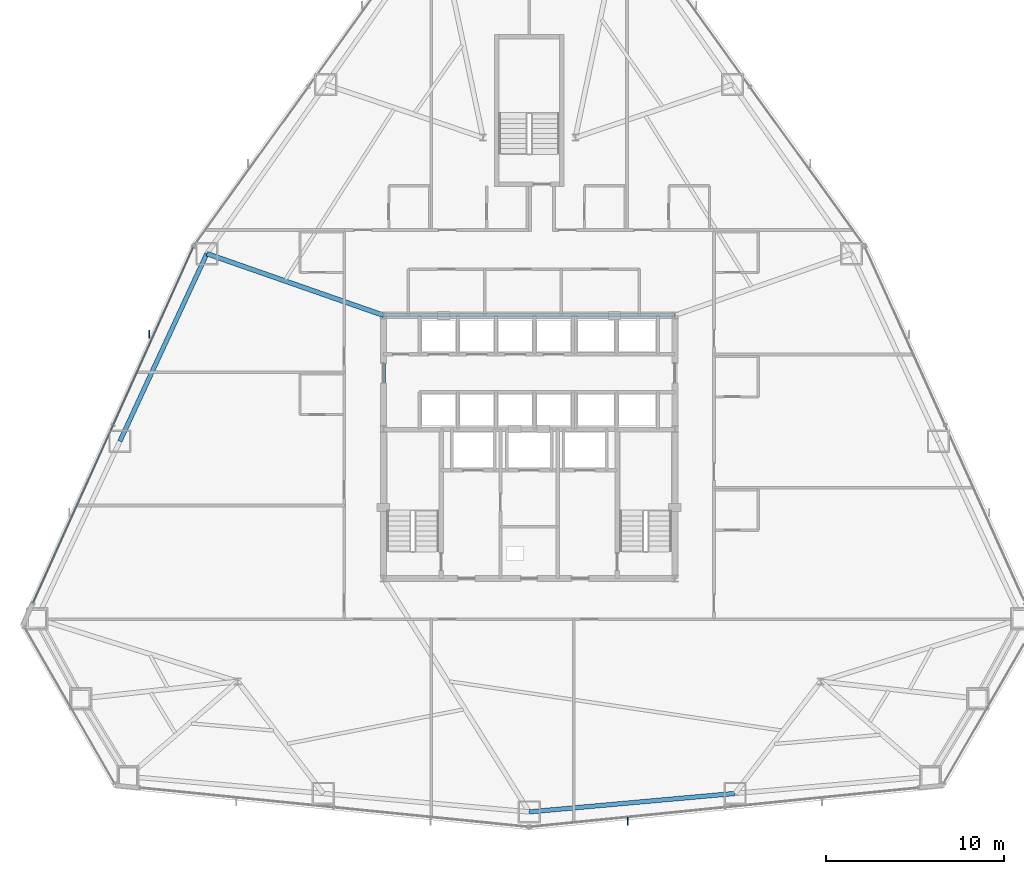
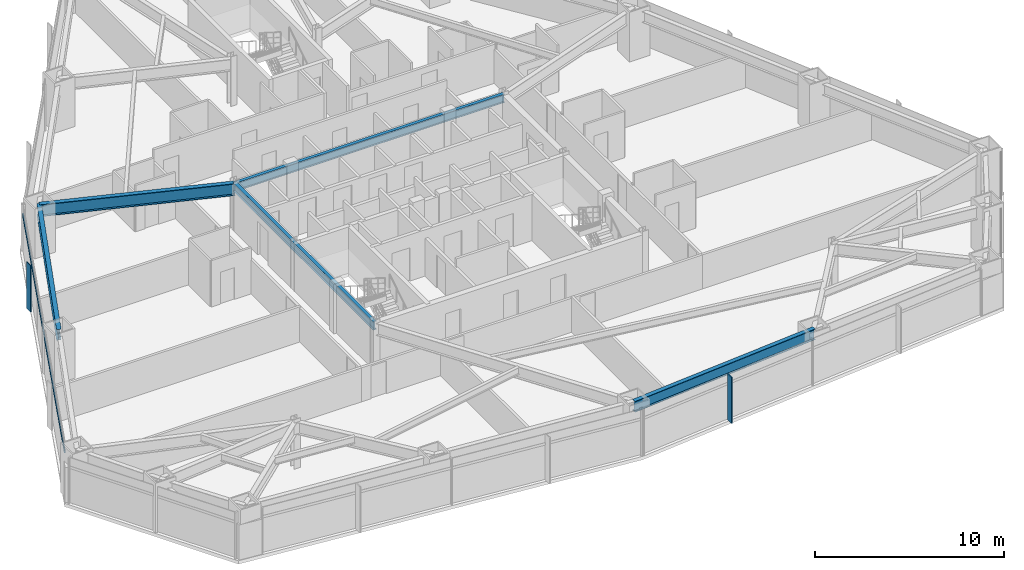
# One storey, part 5 of 12: 5 beams, 3 members, 2 elements without a shape of their own.
"""IFC4 building model written with IfcOpenShell, lengths in metres."""

from ifc_helpers import new_model, si_unit, direction, frame, origin, origin_2d, place, context, subcontext, project, spatial, rectangle, i_section, extrude, source, transform, mapped, material, layer, layer_set, material_profile, profile_set, type_object, type_shapes, element, aggregate, save


model = new_model("IFC4")

# Units and contexts
model_context = context("Model", 3, precision=1e-05, world=origin(), true_north=direction((0.0, 1.0)))
body_context = subcontext(model_context, "Body", "Model", "MODEL_VIEW")
ifc_project = project(units=[si_unit("LENGTHUNIT", "METRE"), si_unit("AREAUNIT", "SQUARE_METRE"), si_unit("VOLUMEUNIT", "CUBIC_METRE"), si_unit("PLANEANGLEUNIT", "RADIAN"), si_unit("MASSUNIT", "GRAM", prefix="KILO")], contexts=[model_context])

# Site, building, storey
site_placement = place(None, origin())
site = spatial("IfcSite", under=ifc_project, at=site_placement, CompositionType="ELEMENT")
building_placement = place(site_placement, origin())
building = spatial("IfcBuilding", under=site, at=building_placement, Name="Varakhsha Concourse Tower", CompositionType="ELEMENT")
storey_placement = place(building_placement, frame((0.0, 0.0, 33.60009765625)))
storey = spatial("IfcBuildingStorey", under=building, at=storey_placement, Name="L08", CompositionType="ELEMENT", Elevation=33.60009765625)

# Beams
ifc_material_1 = material(Name="Structural Steel ASTM A992 Grade 50", Category="steel")
ifc_material_profile_1 = material_profile(ifc_material_1, i_section(OverallWidth=0.26611328125, OverallDepth=0.779052734375, WebThickness=0.01708984375, FlangeThickness=0.030029296875, at=origin_2d()), Name="W30X148")
ifc_profile_set_1 = profile_set([ifc_material_profile_1], Name="Structural Steel ASTM A992 Grade 50")
beam_type_1 = type_object("IfcBeamType", Name="BM-BASE-W30X148", PredefinedType="USERDEFINED", material=ifc_profile_set_1)
beam_1_placement = place(storey_placement, frame((31.800048828125, 31.199951171875, 2.59033203125), z_axis=(-0.944069395278, 0.329746837587, 0.0), x_axis=(-0.329746837587, -0.944069395278, 0.0)))
element("IfcBeam", 1, at=beam_1_placement, inside=storey, type_object=beam_type_1, Name="L08 Radial Floor Girder 05", ObjectType="GIRDER", PredefinedType="USERDEFINED", context=body_context, shape_type="SweptSolid", body=[
    extrude(i_section(OverallWidth=0.26611328125, OverallDepth=0.779052734375, WebThickness=0.01708984375, FlangeThickness=0.030029296875, at=origin_2d()), origin(), (0.0, 0.0, 1.0), 10.523193359375),
])
ifc_material_profile_2 = material_profile(ifc_material_1, i_section(OverallWidth=0.2109375, OverallDepth=0.5390625, WebThickness=0.011962890625, FlangeThickness=0.01904296875, at=origin_2d()), Name="W21X73")
ifc_profile_set_2 = profile_set([ifc_material_profile_2], Name="Structural Steel ASTM A992 Grade 50")
beam_type_2 = type_object("IfcBeamType", Name="BM-RAD-W21X73", PredefinedType="BEAM", material=ifc_profile_set_2)
beam_2_placement = place(storey_placement, frame((31.800048828125, 31.199951171875, 2.71044921875), z_axis=(1.0, 0.0, 0.0), x_axis=(0.0, 1.0, 0.0)))
element("IfcBeam", 2, at=beam_2_placement, inside=storey, type_object=beam_type_2, Name="BM-TCORE-L08-CN", PredefinedType="BEAM", context=body_context, shape_type="SweptSolid", body=[
    extrude(i_section(OverallWidth=0.2109375, OverallDepth=0.5390625, WebThickness=0.011962890625, FlangeThickness=0.01904296875, at=origin_2d()), origin(), (0.0, 0.0, 1.0), 16.39990234375),
])
beam_3_placement = place(storey_placement, frame((31.800048828125, 16.39990234375, 2.71044921875), z_axis=(0.0, 1.0, 0.0), x_axis=(-1.0, 0.0, 0.0)))
element("IfcBeam", 3, at=beam_3_placement, inside=storey, type_object=beam_type_2, Name="BM-TCORE-L08-CW", PredefinedType="BEAM", context=body_context, shape_type="SweptSolid", body=[
    extrude(i_section(OverallWidth=0.2109375, OverallDepth=0.5390625, WebThickness=0.011962890625, FlangeThickness=0.01904296875, at=origin_2d()), origin(), (0.0, 0.0, 1.0), 14.800048828125),
])
ifc_material_profile_3 = material_profile(ifc_material_1, i_section(OverallWidth=0.25390625, OverallDepth=0.701904296875, WebThickness=0.014892578125, FlangeThickness=0.028076171875, at=origin_2d()), Name="W27X129")
ifc_profile_set_3 = profile_set([ifc_material_profile_3], Name="Structural Steel ASTM A992 Grade 50")
beam_type_3 = type_object("IfcBeamType", Name="BM-SPAN-W27X129", PredefinedType="SPANDREL", material=ifc_profile_set_3)
beam_4_placement = place(storey_placement, frame((21.865478515625, 34.669921875, 2.62890625), z_axis=(-0.420598806974, -0.907246737978, 0.0), x_axis=(0.907246737978, -0.420598806974, 0.0)))
element("IfcBeam", 4, at=beam_4_placement, inside=storey, type_object=beam_type_3, Name="BM-SPAN-L08-05", PredefinedType="SPANDREL", context=body_context, shape_type="SweptSolid", body=[
    extrude(i_section(OverallWidth=0.25390625, OverallDepth=0.701904296875, WebThickness=0.014892578125, FlangeThickness=0.028076171875, at=origin_2d()), origin(), (0.0, 0.0, 1.0), 11.63232421875),
])
beam_5_placement = place(storey_placement, frame((40.0, 3.260009765625, 2.62890625), z_axis=(0.995998835259, 0.089366213767, 0.0), x_axis=(-0.089366213767, 0.995998835259, 0.0)))
element("IfcBeam", 5, at=beam_5_placement, inside=storey, type_object=beam_type_3, Name="BM-SPAN-L08-11", PredefinedType="SPANDREL", context=body_context, shape_type="SweptSolid", body=[
    extrude(i_section(OverallWidth=0.25390625, OverallDepth=0.701904296875, WebThickness=0.014892578125, FlangeThickness=0.028076171875, at=origin_2d()), origin(), (0.0, 0.0, 1.0), 11.632568359375),
])

# Curtain wall, member
ifc_material_2 = material(Name="Anodised Bronze Architectural Aluminium AA 6063-T6", Category="aluminium")
ifc_layer = layer(ifc_material_2, 0.219970703125, Name="CW-SYS-02")
ifc_layer_set = layer_set([ifc_layer], Name="Anodised Bronze Architectural Aluminium AA 6063-T6")
curtain_wall_type = type_object("IfcCurtainWallType", Name="CW-SYS-02", PredefinedType="NOTDEFINED", material=ifc_layer_set)
curtain_wall_1_placement = place(storey_placement, origin())
curtain_wall_1 = element("IfcCurtainWall", 6, at=curtain_wall_1_placement, inside=storey, type_object=curtain_wall_type, Name="L08 Crystal Curtain Wall F3", PredefinedType="NOTDEFINED")
ifc_material_profile_4 = material_profile(ifc_material_2, rectangle(XDim=0.06494140625, YDim=0.449951171875, at=origin_2d()), Name="FIN-BRZ-450")
ifc_profile_set_4 = profile_set([ifc_material_profile_4], Name="Anodised Bronze Architectural Aluminium AA 6063-T6")
member_type_1 = type_object("IfcMemberType", Name="FIN-BRZ-450", PredefinedType="USERDEFINED", material=ifc_profile_set_4)
shared_shape_1 = source(origin(), body_context, "Body", "SweptSolid", [
    extrude(rectangle(XDim=0.06494140625, YDim=0.449951171875, at=origin_2d()), origin(), (0.0, 0.0, 1.0), 2.97998046875),
])
type_shapes(member_type_1, [shared_shape_1])
member_1_placement = place(storey_placement, frame((18.6279296875, 30.12890625, 0.0), z_axis=(0.0, 0.0, 1.0), x_axis=(1.0, 0.0, 0.0)))
member_1 = element("IfcMember", 7, at=member_1_placement, type_object=member_type_1, Name="L08 Anodised Bronze Solar Fin F3-2", ObjectType="SOLAR FIN", PredefinedType="USERDEFINED", context=body_context, shape_type="MappedRepresentation", body=[
    mapped(shared_shape_1, transform((0.0, 0.0, 0.0), scale=1.0)),
])

curtain_wall_2_placement = place(storey_placement, origin())
curtain_wall_2 = element("IfcCurtainWall", 8, at=curtain_wall_2_placement, inside=storey, type_object=curtain_wall_type, Name="L08 Crystal Curtain Wall F6", PredefinedType="NOTDEFINED")
member_2_placement = place(storey_placement, frame((45.551513671875, 2.726806640625, 0.0), z_axis=(0.0, 0.0, 1.0), x_axis=(1.0, 0.0, 0.0)))
member_2 = element("IfcMember", 9, at=member_2_placement, type_object=member_type_1, Name="L08 Anodised Bronze Solar Fin F6-2", ObjectType="SOLAR FIN", PredefinedType="USERDEFINED", context=body_context, shape_type="MappedRepresentation", body=[
    mapped(shared_shape_1, transform((0.0, 0.0, 0.0), scale=1.0)),
])
aggregate(curtain_wall_2, [member_2])

# Member
ifc_material_profile_5 = material_profile(ifc_material_2, rectangle(XDim=0.06494140625, YDim=0.159912109375, at=origin_2d()), Name="CWT-160X65")
ifc_profile_set_5 = profile_set([ifc_material_profile_5], Name="Anodised Bronze Architectural Aluminium AA 6063-T6")
member_type_2 = type_object("IfcMemberType", Name="CWT-160X65", PredefinedType="USERDEFINED", material=ifc_profile_set_5)
shared_shape_2 = source(origin(), body_context, "Body", "SweptSolid", [
    extrude(rectangle(XDim=0.06494140625, YDim=0.159912109375, at=origin_2d()), origin(), (0.0, 0.0, 1.0), 21.966552734375),
])
type_shapes(member_type_2, [shared_shape_2])
member_3_placement = place(storey_placement, frame((12.080810546875, 15.0087890625, 2.329833984375), z_axis=(0.410682136042, 0.911778582297, 0.0), x_axis=(-0.911778582297, 0.410682136042, 0.0)))
member_3 = element("IfcMember", 10, at=member_3_placement, type_object=member_type_2, Name="CW-L08-F3 Transom 01", ObjectType="TRANSOM", PredefinedType="USERDEFINED", context=body_context, shape_type="MappedRepresentation", body=[
    mapped(shared_shape_2, transform((0.0, 0.0, 0.0), scale=1.0)),
])

aggregate(curtain_wall_1, [member_3, member_1])

save(model, "model.ifc")
